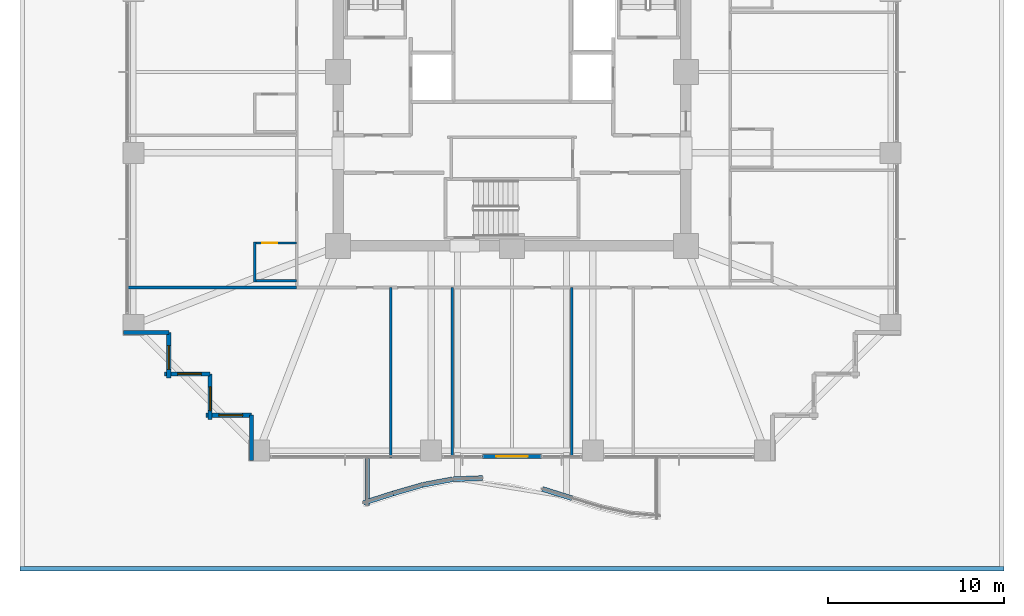
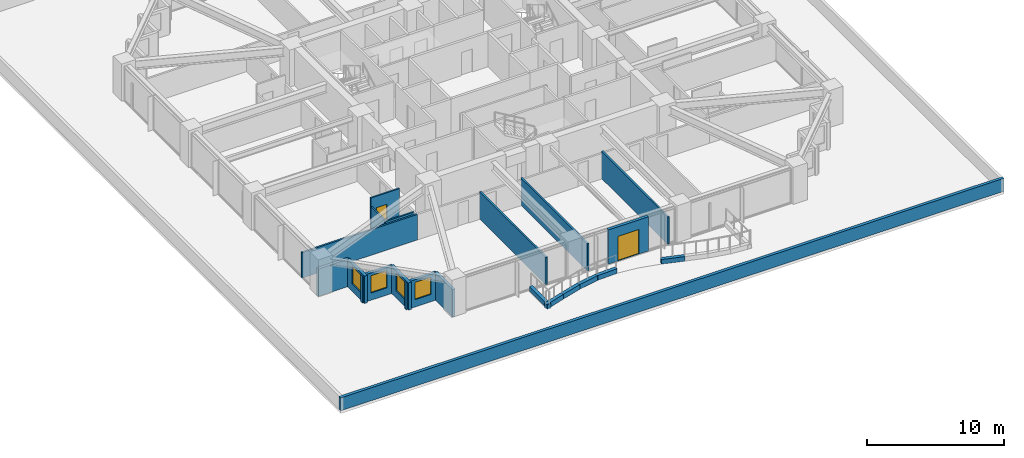
# One storey, part 30 of 36: 21 walls, 4 windows, 2 doors, 6 openings.
"""IFC4 building model written with IfcOpenShell, lengths in metres."""

from ifc_helpers import new_model, si_unit, direction, frame, frame_2d, origin, place, context, subcontext, project, spatial, rectangle, extrude, material, layer, layer_set, type_object, element, fill, save


model = new_model("IFC4")

# Units and contexts
model_context = context("Model", 3, precision=1e-05, world=origin(), true_north=direction((0.0, 1.0)))
body_context = subcontext(model_context, "Body", "Model", "MODEL_VIEW")
ifc_project = project(units=[si_unit("LENGTHUNIT", "METRE"), si_unit("AREAUNIT", "SQUARE_METRE"), si_unit("VOLUMEUNIT", "CUBIC_METRE"), si_unit("PLANEANGLEUNIT", "RADIAN"), si_unit("MASSUNIT", "GRAM", prefix="KILO")], contexts=[model_context])

# Site, building, storey
site_placement = place(None, origin())
site = spatial("IfcSite", under=ifc_project, at=site_placement, CompositionType="ELEMENT")
building_placement = place(site_placement, origin())
building = spatial("IfcBuilding", under=site, at=building_placement, Name="Kolvaren Belvedere", CompositionType="ELEMENT")
storey_placement = place(building_placement, frame((0.0, 0.0, 23.800048828125)))
storey = spatial("IfcBuildingStorey", under=building, at=storey_placement, Name="L06", CompositionType="ELEMENT", Elevation=23.800048828125)

# Wall, opening, door
ifc_material_1 = material(Name="Insulated pale-metal facade wall assembly", Category="aluminium")
ifc_layer_1 = layer(ifc_material_1, 0.239990234375)
ifc_layer_set_1 = layer_set([ifc_layer_1], Name="Insulated pale-metal facade wall assembly")
wall_type_1 = type_object("IfcWallType", Name="WL-EXT-240", PredefinedType="STANDARD", material=ifc_layer_set_1)
wall_1_placement = place(storey_placement, frame((1.679931640625, -21.8798828125, 0.0), z_axis=(0.0, 0.0, 1.0), x_axis=(-1.0, 0.0, 0.0)))
wall_1 = element("IfcWall", 1, at=wall_1_placement, inside=storey, type_object=wall_type_1, Name="L06 South Terrace Portal Wall", PredefinedType="STANDARD", context=body_context, shape_type="SweptSolid", body=[
    extrude(rectangle(XDim=3.35986328125, YDim=0.239990234375, at=frame_2d((1.679931640625, 0.0))), origin(), (0.0, 0.0, 1.0), 3.06005859375),
])
opening_1_placement = place(wall_1_placement, frame((0.780029296875, 0.0, 0.0)))
opening_1 = element("IfcOpeningElement", 2, at=opening_1_placement, cuts=wall_1, Name="Opening DB-1800", PredefinedType="OPENING", context=body_context, shape_type="SweptSolid", body=[
    extrude(rectangle(XDim=1.800048828125, YDim=2.199951171875, at=frame_2d((0.89990234375, 1.10009765625))), frame((0.0, 0.1298828125, 0.0), z_axis=(0.0, -1.0, 0.0), x_axis=(1.0, 0.0, 0.0)), (0.0, 0.0, 1.0), 0.260009765625),
])
ifc_material_2 = material(Name="Thermally broken pale-metal aluminium & low-iron glass", Category="aluminium")
door_type_1 = type_object("IfcDoorType", Name="DR-BAL-1800", OperationType="DOUBLE_DOOR_SLIDING", PredefinedType="DOOR", material=ifc_material_2)
door_1_placement = place(opening_1_placement, origin())
door_1 = element("IfcDoor", 3, at=door_1_placement, inside=storey, type_object=door_type_1, Name="L06 South Planted Terrace Sliding Door", OperationType="DOUBLE_DOOR_SLIDING", OverallHeight=2.199951171875, OverallWidth=1.800048828125, PredefinedType="DOOR", context=body_context, shape_type="SweptSolid", body=[
    extrude(rectangle(XDim=1.800048828125, YDim=2.199951171875, at=frame_2d((0.89990234375, 1.10009765625))), frame((0.0, 0.02490234375, 0.0), z_axis=(0.0, -1.0, 0.0), x_axis=(1.0, 0.0, 0.0)), (0.0, 0.0, 1.0), 0.050048828125),
])
fill(opening_1, door_1)

# Wall
wall_2_placement = place(storey_placement, frame((-19.530029296875, -14.830078125, 0.0), z_axis=(0.0, 0.0, 1.0), x_axis=(-1.0, 0.0, 0.0)))
element("IfcWall", 4, at=wall_2_placement, inside=storey, type_object=wall_type_1, Name="L06 Serrated Corner Facade Wall 23", PredefinedType="STANDARD", context=body_context, shape_type="SweptSolid", body=[
    extrude(rectangle(XDim=2.590087890625, YDim=0.239990234375, at=frame_2d((1.294921875, 0.0))), origin(), (0.0, 0.0, 1.0), 2.43896484375),
])

# Wall, opening, window
wall_3_placement = place(storey_placement, frame((-19.530029296875, -17.419921875, 0.0), z_axis=(0.0, 0.0, 1.0), x_axis=(0.0, 1.0, 0.0)))
wall_3 = element("IfcWall", 5, at=wall_3_placement, inside=storey, type_object=wall_type_1, Name="L06 Serrated Corner Facade Wall 24", PredefinedType="STANDARD", context=body_context, shape_type="SweptSolid", body=[
    extrude(rectangle(XDim=2.58984375, YDim=0.239990234375, at=frame_2d((1.294921875, 0.0))), origin(), (0.0, 0.0, 1.0), 2.43896484375),
])
opening_2_placement = place(wall_3_placement, frame((0.5, 0.0, 0.64990234375)))
opening_2 = element("IfcOpeningElement", 6, at=opening_2_placement, cuts=wall_3, Name="Opening W-1350", PredefinedType="OPENING", context=body_context, shape_type="SweptSolid", body=[
    extrude(rectangle(XDim=1.35009765625, YDim=1.550048828125, at=frame_2d((0.675048828125, 0.77490234375))), frame((0.0, 0.1298828125, 0.0), z_axis=(0.0, -1.0, 0.0), x_axis=(1.0, 0.0, 0.0)), (0.0, 0.0, 1.0), 0.260009765625),
])
ifc_material_3 = material(Name="Low-iron triple insulated glass", Category="glass")
window_type = type_object("IfcWindowType", Name="WN-CORN-1350", PartitioningType="SINGLE_PANEL", PredefinedType="WINDOW", material=ifc_material_3)
window_1_placement = place(opening_2_placement, origin())
window_1 = element("IfcWindow", 7, at=window_1_placement, inside=storey, type_object=window_type, Name="L06 Serrated Corner Vision Window 24", OverallHeight=1.550048828125, OverallWidth=1.35009765625, PartitioningType="SINGLE_PANEL", PredefinedType="WINDOW", context=body_context, shape_type="SweptSolid", body=[
    extrude(rectangle(XDim=1.35009765625, YDim=1.550048828125, at=frame_2d((0.675048828125, 0.77490234375))), frame((0.0, 0.030029296875, 0.0), z_axis=(0.0, -1.0, 0.0), x_axis=(1.0, 0.0, 0.0)), (0.0, 0.0, 1.0), 0.06005859375),
])
fill(opening_2, window_1)

wall_4_placement = place(storey_placement, frame((-17.179931640625, -17.179931640625, 0.0), z_axis=(0.0, 0.0, 1.0), x_axis=(-1.0, 0.0, 0.0)))
wall_4 = element("IfcWall", 8, at=wall_4_placement, inside=storey, type_object=wall_type_1, Name="L06 Serrated Corner Facade Wall 25", PredefinedType="STANDARD", context=body_context, shape_type="SweptSolid", body=[
    extrude(rectangle(XDim=2.590087890625, YDim=0.239990234375, at=frame_2d((1.294921875, 0.0))), origin(), (0.0, 0.0, 1.0), 2.43896484375),
])
opening_3_placement = place(wall_4_placement, frame((0.5, 0.0, 0.64990234375)))
opening_3 = element("IfcOpeningElement", 9, at=opening_3_placement, cuts=wall_4, Name="Opening W-1350", PredefinedType="OPENING", context=body_context, shape_type="SweptSolid", body=[
    extrude(rectangle(XDim=1.35009765625, YDim=1.550048828125, at=frame_2d((0.675048828125, 0.77490234375))), frame((0.0, 0.1298828125, 0.0), z_axis=(0.0, -1.0, 0.0), x_axis=(1.0, 0.0, 0.0)), (0.0, 0.0, 1.0), 0.260009765625),
])
window_2_placement = place(opening_3_placement, origin())
window_2 = element("IfcWindow", 10, at=window_2_placement, inside=storey, type_object=window_type, Name="L06 Serrated Corner Vision Window 25", OverallHeight=1.550048828125, OverallWidth=1.35009765625, PartitioningType="SINGLE_PANEL", PredefinedType="WINDOW", context=body_context, shape_type="SweptSolid", body=[
    extrude(rectangle(XDim=1.35009765625, YDim=1.550048828125, at=frame_2d((0.675048828125, 0.77490234375))), frame((0.0, 0.030029296875, 0.0), z_axis=(0.0, -1.0, 0.0), x_axis=(1.0, 0.0, 0.0)), (0.0, 0.0, 1.0), 0.06005859375),
])
fill(opening_3, window_2)

wall_5_placement = place(storey_placement, frame((-17.179931640625, -19.77001953125, 0.0), z_axis=(0.0, 0.0, 1.0), x_axis=(0.0, 1.0, 0.0)))
wall_5 = element("IfcWall", 11, at=wall_5_placement, inside=storey, type_object=wall_type_1, Name="L06 Serrated Corner Facade Wall 26", PredefinedType="STANDARD", context=body_context, shape_type="SweptSolid", body=[
    extrude(rectangle(XDim=2.590087890625, YDim=0.239990234375, at=frame_2d((1.294921875, 0.0))), origin(), (0.0, 0.0, 1.0), 2.43896484375),
])
opening_4_placement = place(wall_5_placement, frame((0.5, 0.0, 0.64990234375)))
opening_4 = element("IfcOpeningElement", 12, at=opening_4_placement, cuts=wall_5, Name="Opening W-1350", PredefinedType="OPENING", context=body_context, shape_type="SweptSolid", body=[
    extrude(rectangle(XDim=1.35009765625, YDim=1.550048828125, at=frame_2d((0.675048828125, 0.77490234375))), frame((0.0, 0.1298828125, 0.0), z_axis=(0.0, -1.0, 0.0), x_axis=(1.0, 0.0, 0.0)), (0.0, 0.0, 1.0), 0.260009765625),
])
window_3_placement = place(opening_4_placement, origin())
window_3 = element("IfcWindow", 13, at=window_3_placement, inside=storey, type_object=window_type, Name="L06 Serrated Corner Vision Window 26", OverallHeight=1.550048828125, OverallWidth=1.35009765625, PartitioningType="SINGLE_PANEL", PredefinedType="WINDOW", context=body_context, shape_type="SweptSolid", body=[
    extrude(rectangle(XDim=1.35009765625, YDim=1.550048828125, at=frame_2d((0.675048828125, 0.77490234375))), frame((0.0, 0.030029296875, 0.0), z_axis=(0.0, -1.0, 0.0), x_axis=(1.0, 0.0, 0.0)), (0.0, 0.0, 1.0), 0.06005859375),
])
fill(opening_4, window_3)

wall_6_placement = place(storey_placement, frame((-14.830078125, -19.530029296875, 0.0), z_axis=(0.0, 0.0, 1.0), x_axis=(-1.0, 0.0, 0.0)))
wall_6 = element("IfcWall", 14, at=wall_6_placement, inside=storey, type_object=wall_type_1, Name="L06 Serrated Corner Facade Wall 27", PredefinedType="STANDARD", context=body_context, shape_type="SweptSolid", body=[
    extrude(rectangle(XDim=2.58984375, YDim=0.239990234375, at=frame_2d((1.294921875, 0.0))), origin(), (0.0, 0.0, 1.0), 2.43896484375),
])
opening_5_placement = place(wall_6_placement, frame((0.5, 0.0, 0.64990234375)))
opening_5 = element("IfcOpeningElement", 15, at=opening_5_placement, cuts=wall_6, Name="Opening W-1350", PredefinedType="OPENING", context=body_context, shape_type="SweptSolid", body=[
    extrude(rectangle(XDim=1.35009765625, YDim=1.550048828125, at=frame_2d((0.675048828125, 0.77490234375))), frame((0.0, 0.1298828125, 0.0), z_axis=(0.0, -1.0, 0.0), x_axis=(1.0, 0.0, 0.0)), (0.0, 0.0, 1.0), 0.260009765625),
])
window_4_placement = place(opening_5_placement, origin())
window_4 = element("IfcWindow", 16, at=window_4_placement, inside=storey, type_object=window_type, Name="L06 Serrated Corner Vision Window 27", OverallHeight=1.550048828125, OverallWidth=1.35009765625, PartitioningType="SINGLE_PANEL", PredefinedType="WINDOW", context=body_context, shape_type="SweptSolid", body=[
    extrude(rectangle(XDim=1.35009765625, YDim=1.550048828125, at=frame_2d((0.675048828125, 0.77490234375))), frame((0.0, 0.030029296875, 0.0), z_axis=(0.0, -1.0, 0.0), x_axis=(1.0, 0.0, 0.0)), (0.0, 0.0, 1.0), 0.06005859375),
])
fill(opening_5, window_4)

# Walls
wall_7_placement = place(storey_placement, frame((-14.830078125, -22.1201171875, 0.0), z_axis=(0.0, 0.0, 1.0), x_axis=(0.0, 1.0, 0.0)))
element("IfcWall", 17, at=wall_7_placement, inside=storey, type_object=wall_type_1, Name="L06 Serrated Corner Facade Wall 28", PredefinedType="STANDARD", context=body_context, shape_type="SweptSolid", body=[
    extrude(rectangle(XDim=2.590087890625, YDim=0.239990234375, at=frame_2d((1.294921875, 0.0))), origin(), (0.0, 0.0, 1.0), 2.43896484375),
])
ifc_material_4 = material(Name="Precast concrete C40/50", Category="concrete")
ifc_layer_2 = layer(ifc_material_4, 0.25)
ifc_layer_set_2 = layer_set([ifc_layer_2], Name="Precast concrete C40/50")
wall_type_2 = type_object("IfcWallType", Name="WL-PARAPET-250", PredefinedType="PARAPET", material=ifc_layer_set_2)
wall_8_placement = place(storey_placement, frame((28.0, -28.27001953125, 0.0), z_axis=(0.0, 0.0, 1.0), x_axis=(-1.0, 0.0, 0.0)))
element("IfcWall", 18, at=wall_8_placement, inside=storey, type_object=wall_type_2, Name="L06 Podium Setback Roof Parapet 1", PredefinedType="PARAPET", context=body_context, shape_type="SweptSolid", body=[
    extrude(rectangle(XDim=56.0, YDim=0.25, at=frame_2d((28.0, 0.0))), origin(), (0.0, 0.0, 1.0), 1.14990234375),
])
ifc_material_5 = material(Name="Gypsum acoustic partition assembly", Category="gypsum")
ifc_layer_3 = layer(ifc_material_5, 0.14990234375)
ifc_layer_set_3 = layer_set([ifc_layer_3], Name="Gypsum acoustic partition assembly")
wall_type_3 = type_object("IfcWallType", Name="WL-PART-150", PredefinedType="PARTITIONING", material=ifc_layer_set_3)
wall_9_placement = place(storey_placement, frame((-21.97998046875, -12.260009765625, 0.0), z_axis=(0.0, 0.0, 1.0), x_axis=(1.0, 0.0, 0.0)))
element("IfcWall", 19, at=wall_9_placement, inside=storey, type_object=wall_type_3, Name="L06 Wing Divider PW-L06-QSW", PredefinedType="PARTITIONING", context=body_context, shape_type="SweptSolid", body=[
    extrude(rectangle(XDim=9.719970703125, YDim=0.14990234375, at=frame_2d((4.85986328125, 0.0))), origin(), (0.0, 0.0, 1.0), 2.27197265625),
])
for number, where, z_axis, x_axis, name in (
    (20, (-6.89990234375, -21.97998046875, 0.0), (0.0, 0.0, 1.0), (0.0, 1.0, 0.0), "L06 South Suite Demising Wall 1"),
    (21, (-3.39990234375, -21.97998046875, 0.0), (0.0, 0.0, 1.0), (0.0, 1.0, 0.0), "L06 South Suite Demising Wall 2"),
    (22, (3.39990234375, -21.97998046875, 0.0), (0.0, 0.0, 1.0), (0.0, 1.0, 0.0), "L06 South Suite Demising Wall 3"),
):
    element("IfcWall", number, at=place(storey_placement, frame(where, z_axis=z_axis, x_axis=x_axis)), inside=storey, type_object=wall_type_3, Name=name, PredefinedType="PARTITIONING", context=body_context, shape_type="SweptSolid", body=[
        extrude(rectangle(XDim=9.719970703125, YDim=0.14990234375, at=frame_2d((4.85986328125, 0.0))), origin(), (0.0, 0.0, 1.0), 2.428955078125),
    ])
ifc_material_6 = material(Name="Precast concrete C40/50", Category="concrete")
ifc_layer_4 = layer(ifc_material_6, 0.300048828125)
ifc_layer_set_4 = layer_set([ifc_layer_4], Name="Precast concrete C40/50")
wall_type_4 = type_object("IfcWallType", Name="WL-PLANTER-300", PredefinedType="PARAPET", material=ifc_layer_set_4)
wall_10_placement = place(storey_placement, frame((-8.448486328125, -24.521240234375, -0.06005859375), z_axis=(0.0, 0.0, 1.0), x_axis=(0.952661770826, 0.304032153573, 0.0)))
element("IfcWall", 23, at=wall_10_placement, inside=storey, type_object=wall_type_4, Name="L06 Precast Structural Planter Wall BAL-S-1", PredefinedType="PARAPET", context=body_context, shape_type="SweptSolid", body=[
    extrude(rectangle(XDim=1.763427734375, YDim=0.280029296875, at=frame_2d((0.8818359375, 0.0))), origin(), (0.0, 0.0, 1.0), 0.419921875),
])
wall_11_placement = place(storey_placement, frame((-6.764404296875, -23.98388671875, -0.06005859375), z_axis=(0.0, 0.0, 1.0), x_axis=(0.96059663827, 0.277946215201, 0.0)))
element("IfcWall", 24, at=wall_11_placement, inside=storey, type_object=wall_type_4, Name="L06 Precast Structural Planter Wall BAL-S-2", PredefinedType="PARAPET", context=body_context, shape_type="SweptSolid", body=[
    extrude(rectangle(XDim=1.748779296875, YDim=0.280029296875, at=frame_2d((0.87451171875, 0.0))), origin(), (0.0, 0.0, 1.0), 0.419921875),
])
wall_12_placement = place(storey_placement, frame((-5.069580078125, -23.494384765625, -0.06005859375), z_axis=(0.0, 0.0, 1.0), x_axis=(0.982799348901, 0.18467658162, 0.0)))
element("IfcWall", 25, at=wall_12_placement, inside=storey, type_object=wall_type_4, Name="L06 Precast Structural Planter Wall BAL-S-3", PredefinedType="PARAPET", context=body_context, shape_type="SweptSolid", body=[
    extrude(rectangle(XDim=1.709228515625, YDim=0.280029296875, at=frame_2d((0.8544921875, 0.0))), origin(), (0.0, 0.0, 1.0), 0.419921875),
])
wall_13_placement = place(storey_placement, frame((-3.366455078125, -23.17578125, -0.06005859375), z_axis=(0.0, 0.0, 1.0), x_axis=(0.999202581436, 0.039927449854, 0.0)))
element("IfcWall", 26, at=wall_13_placement, inside=storey, type_object=wall_type_4, Name="L06 Precast Structural Planter Wall BAL-S-4", PredefinedType="PARAPET", context=body_context, shape_type="SweptSolid", body=[
    extrude(rectangle(XDim=1.681396484375, YDim=0.280029296875, at=frame_2d((0.8408203125, 0.0))), origin(), (0.0, 0.0, 1.0), 0.419921875),
])
wall_14_placement = place(storey_placement, frame((1.727783203125, -23.7275390625, -0.06005859375), z_axis=(0.0, 0.0, 1.0), x_axis=(0.954069594374, -0.299585061529, 0.0)))
element("IfcWall", 27, at=wall_14_placement, inside=storey, type_object=wall_type_4, Name="L06 Precast Structural Planter Wall BAL-S-7", PredefinedType="PARAPET", context=body_context, shape_type="SweptSolid", body=[
    extrude(rectangle(XDim=1.760986328125, YDim=0.280029296875, at=frame_2d((0.88037109375, 0.0))), origin(), (0.0, 0.0, 1.0), 0.419921875),
])
wall_15_placement = place(storey_placement, frame((-8.239990234375, -22.0, -0.06005859375), z_axis=(0.0, 0.0, 1.0), x_axis=(0.0, -1.0, 0.0)))
element("IfcWall", 28, at=wall_15_placement, inside=storey, type_object=wall_type_4, Name="L06 Precast Structural Planter Wall BAL-S-22", PredefinedType="PARAPET", context=body_context, shape_type="SweptSolid", body=[
    extrude(rectangle(XDim=2.673583984375, YDim=0.280029296875, at=frame_2d((1.3369140625, 0.0))), origin(), (0.0, 0.0, 1.0), 0.419921875),
])

# Wall, opening, door
ifc_material_7 = material(Name="Moisture-resistant gypsum partition", Category="gypsum")
ifc_layer_5 = layer(ifc_material_7, 0.125)
ifc_layer_set_5 = layer_set([ifc_layer_5], Name="Moisture-resistant gypsum partition")
wall_type_5 = type_object("IfcWallType", Name="WL-WET-125", PredefinedType="PARTITIONING", material=ifc_layer_set_5)
wall_16_placement = place(storey_placement, frame((-14.715087890625, -9.73095703125, 0.0), z_axis=(0.0, 0.0, 1.0), x_axis=(1.0, 0.0, 0.0)))
wall_16 = element("IfcWall", 29, at=wall_16_placement, inside=storey, type_object=wall_type_5, Name="L06 Bathroom Partition PW-L06-BTH-9-N", PredefinedType="PARTITIONING", context=body_context, shape_type="SweptSolid", body=[
    extrude(rectangle(XDim=2.440185546875, YDim=0.125, at=frame_2d((1.22021484375, 0.0))), origin(), (0.0, 0.0, 1.0), 3.06005859375),
])
opening_6_placement = place(wall_16_placement, frame((0.5, 0.0, 0.0)))
opening_6 = element("IfcOpeningElement", 30, at=opening_6_placement, cuts=wall_16, Name="Opening D-BTH85", PredefinedType="OPENING", context=body_context, shape_type="SweptSolid", body=[
    extrude(rectangle(XDim=0.85009765625, YDim=2.030029296875, at=frame_2d((0.425048828125, 1.01513671875))), frame((0.0, 0.072509765625, 0.0), z_axis=(0.0, -1.0, 0.0), x_axis=(1.0, 0.0, 0.0)), (0.0, 0.0, 1.0), 0.14501953125),
])
ifc_material_8 = material(Name="Moisture-sealed Pacific white oak", Category="timber")
door_type_2 = type_object("IfcDoorType", Name="DR-BATH-850", OperationType="NOTDEFINED", PredefinedType="DOOR", material=ifc_material_8)
door_2_placement = place(opening_6_placement, origin())
door_2 = element("IfcDoor", 31, at=door_2_placement, inside=storey, type_object=door_type_2, Name="L06 En-Suite Bathroom 609 Door", OperationType="SINGLE_SWING_RIGHT", OverallHeight=2.030029296875, OverallWidth=0.85009765625, PredefinedType="DOOR", context=body_context, shape_type="SweptSolid", body=[
    extrude(rectangle(XDim=0.85009765625, YDim=2.030029296875, at=frame_2d((0.425048828125, 1.01513671875))), frame((0.0, 0.02490234375, 0.0), z_axis=(0.0, -1.0, 0.0), x_axis=(1.0, 0.0, 0.0)), (0.0, 0.0, 1.0), 0.050048828125),
])
fill(opening_6, door_2)

# Walls
wall_17_placement = place(storey_placement, frame((-14.635009765625, -11.94091796875, 0.0), z_axis=(0.0, 0.0, 1.0), x_axis=(0.0, 1.0, 0.0)))
element("IfcWall", 32, at=wall_17_placement, inside=storey, type_object=wall_type_5, Name="L06 Bathroom Partition PW-L06-BTH-9-V", PredefinedType="PARTITIONING", context=body_context, shape_type="SweptSolid", body=[
    extrude(rectangle(XDim=2.27001953125, YDim=0.125, at=frame_2d((1.135009765625, 0.0))), origin(), (0.0, 0.0, 1.0), 2.27197265625),
])
wall_18_placement = place(storey_placement, frame((-14.715087890625, -11.881103515625, 0.0), z_axis=(0.0, 0.0, 1.0), x_axis=(1.0, 0.0, 0.0)))
element("IfcWall", 33, at=wall_18_placement, inside=storey, type_object=wall_type_5, Name="L06 Bathroom Partition PW-L06-BTH-9-S", PredefinedType="PARTITIONING", context=body_context, shape_type="SweptSolid", body=[
    extrude(rectangle(XDim=2.440185546875, YDim=0.125, at=frame_2d((1.22021484375, 0.0))), origin(), (0.0, 0.0, 1.0), 2.27197265625),
])

save(model, "model.ifc")
